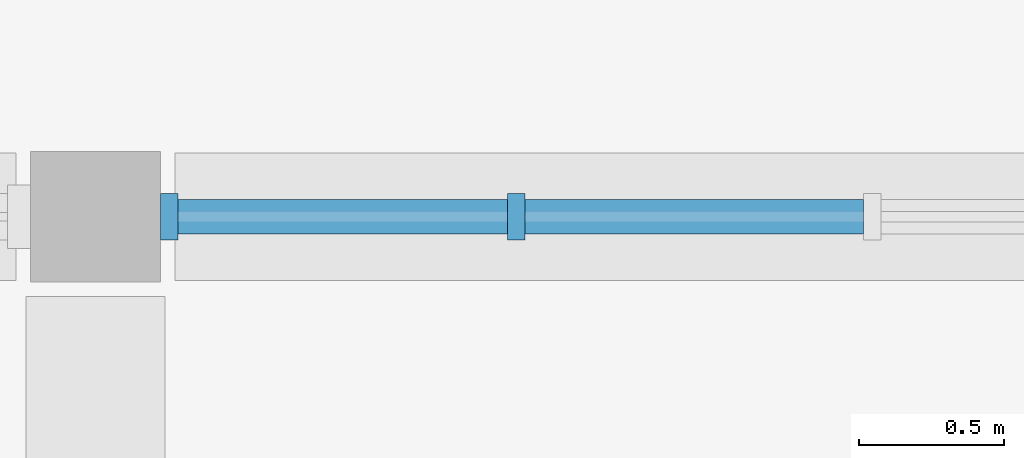
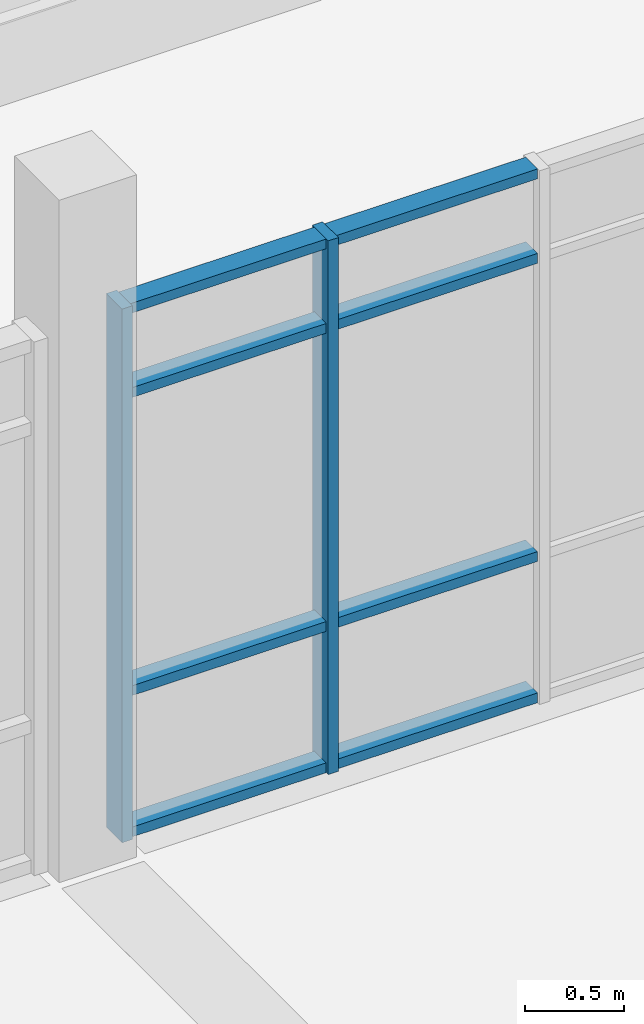
# One storey, part 16 of 92: 10 members, 1 element without a shape of its own.
"""IFC4 building model written with IfcOpenShell, lengths in metres."""

from ifc_helpers import new_model, si_unit, direction, frame, origin, origin_2d, place, context, subcontext, project, spatial, rectangle, extrude, material, material_profile, profile_set, type_object, element, aggregate, save


model = new_model("IFC4")

# Units and contexts
model_context = context("Model", 3, precision=1e-05, world=origin(), true_north=direction((0.0, 1.0)))
body_context = subcontext(model_context, "Body", "Model", "MODEL_VIEW")
ifc_project = project(units=[si_unit("LENGTHUNIT", "METRE"), si_unit("AREAUNIT", "SQUARE_METRE"), si_unit("VOLUMEUNIT", "CUBIC_METRE"), si_unit("PLANEANGLEUNIT", "RADIAN"), si_unit("MASSUNIT", "GRAM", prefix="KILO")], contexts=[model_context])

# Site, building, storey
site_placement = place(None, origin())
site = spatial("IfcSite", under=ifc_project, at=site_placement, CompositionType="ELEMENT")
building_placement = place(site_placement, origin())
building = spatial("IfcBuilding", under=site, at=building_placement, Name="Ciguamira Faculty of Natural Sciences", CompositionType="ELEMENT")
storey_placement = place(building_placement, frame((0.0, 0.0, 16.800048828125)))
storey = spatial("IfcBuildingStorey", under=building, at=storey_placement, Name="L04", CompositionType="ELEMENT", Elevation=16.800048828125)

# Curtain wall, members
ifc_material_1 = material(Name="Anodized aluminium curtain wall", Category="aluminium")
curtain_wall_type = type_object("IfcCurtainWallType", Name="CurtainWall_CW-10", PredefinedType="USERDEFINED", material=ifc_material_1)
curtain_wall_placement = place(storey_placement, origin())
curtain_wall = element("IfcCurtainWall", 1, at=curtain_wall_placement, inside=storey, type_object=curtain_wall_type, Name="L04 unitised curtain wall 0118", ObjectType="UNITISED CURTAIN WALL", PredefinedType="USERDEFINED")
ifc_material_2 = material(Name="Anodized aluminium mullion", Category="aluminium")
ifc_material_profile_1 = material_profile(ifc_material_2, rectangle(XDim=0.06005859375, YDim=0.159912109375, at=origin_2d()), Name="ALU-MUL-60X160")
ifc_profile_set_1 = profile_set([ifc_material_profile_1], Name="Anodized aluminium mullion")
member_type_1 = type_object("IfcMemberType", Name="CWMullion_CWM-01", PredefinedType="MULLION", material=ifc_profile_set_1)
member_1_placement = place(storey_placement, frame((90.554931640625, 38.0, 0.0), z_axis=(0.0, 0.0, 1.0), x_axis=(1.0, 0.0, 0.0)))
member_1 = element("IfcMember", 2, at=member_1_placement, type_object=member_type_1, Name="CW-10 mullion 1", PredefinedType="MULLION", context=body_context, shape_type="SweptSolid", body=[
    extrude(rectangle(XDim=0.06005859375, YDim=0.159912109375, at=origin_2d()), origin(), (0.0, 0.0, 1.0), 3.284912109375),
])
member_2_placement = place(storey_placement, frame((91.7548828125, 38.0, 0.0), z_axis=(0.0, 0.0, 1.0), x_axis=(1.0, 0.0, 0.0)))
member_2 = element("IfcMember", 3, at=member_2_placement, type_object=member_type_1, Name="CW-10 mullion 2", PredefinedType="MULLION", context=body_context, shape_type="SweptSolid", body=[
    extrude(rectangle(XDim=0.06005859375, YDim=0.159912109375, at=origin_2d()), origin(), (0.0, 0.0, 1.0), 3.284912109375),
])
ifc_material_3 = material(Name="Anodized aluminium transom", Category="aluminium")
ifc_material_profile_2 = material_profile(ifc_material_3, rectangle(XDim=0.06005859375, YDim=0.1201171875, at=origin_2d()), Name="ALU-TRN-60X120")
ifc_profile_set_2 = profile_set([ifc_material_profile_2], Name="Anodized aluminium transom")
member_type_2 = type_object("IfcMemberType", Name="CWTransom_CWT-01", PredefinedType="USERDEFINED", material=ifc_profile_set_2)
member_3_placement = place(storey_placement, frame((90.5849609375, 38.0, 0.030029296875), z_axis=(1.0, 0.0, 0.0), x_axis=(0.0, 0.0, 1.0)))
member_3 = element("IfcMember", 4, at=member_3_placement, type_object=member_type_2, Name="CW-10 transom 1.1", ObjectType="TRANSOM", PredefinedType="USERDEFINED", context=body_context, shape_type="SweptSolid", body=[
    extrude(rectangle(XDim=0.06005859375, YDim=0.1201171875, at=origin_2d()), origin(), (0.0, 0.0, 1.0), 1.14013671875),
])
member_4_placement = place(storey_placement, frame((90.5849609375, 38.0, 0.89990234375), z_axis=(1.0, 0.0, 0.0), x_axis=(0.0, 0.0, 1.0)))
member_4 = element("IfcMember", 5, at=member_4_placement, type_object=member_type_2, Name="CW-10 transom 1.2", ObjectType="TRANSOM", PredefinedType="USERDEFINED", context=body_context, shape_type="SweptSolid", body=[
    extrude(rectangle(XDim=0.06005859375, YDim=0.1201171875, at=origin_2d()), origin(), (0.0, 0.0, 1.0), 1.14013671875),
])
member_5_placement = place(storey_placement, frame((90.5849609375, 38.0, 2.73486328125), z_axis=(1.0, 0.0, 0.0), x_axis=(0.0, 0.0, 1.0)))
member_5 = element("IfcMember", 6, at=member_5_placement, type_object=member_type_2, Name="CW-10 transom 1.3", ObjectType="TRANSOM", PredefinedType="USERDEFINED", context=body_context, shape_type="SweptSolid", body=[
    extrude(rectangle(XDim=0.06005859375, YDim=0.1201171875, at=origin_2d()), origin(), (0.0, 0.0, 1.0), 1.14013671875),
])
member_6_placement = place(storey_placement, frame((90.5849609375, 38.0, 3.2548828125), z_axis=(1.0, 0.0, 0.0), x_axis=(0.0, 0.0, 1.0)))
member_6 = element("IfcMember", 7, at=member_6_placement, type_object=member_type_2, Name="CW-10 transom 1.4", ObjectType="TRANSOM", PredefinedType="USERDEFINED", context=body_context, shape_type="SweptSolid", body=[
    extrude(rectangle(XDim=0.06005859375, YDim=0.1201171875, at=origin_2d()), origin(), (0.0, 0.0, 1.0), 1.14013671875),
])
member_7_placement = place(storey_placement, frame((91.784912109375, 38.0, 0.030029296875), z_axis=(1.0, 0.0, 0.0), x_axis=(0.0, 0.0, 1.0)))
member_7 = element("IfcMember", 8, at=member_7_placement, type_object=member_type_2, Name="CW-10 transom 2.1", ObjectType="TRANSOM", PredefinedType="USERDEFINED", context=body_context, shape_type="SweptSolid", body=[
    extrude(rectangle(XDim=0.06005859375, YDim=0.1201171875, at=origin_2d()), origin(), (0.0, 0.0, 1.0), 1.170166015625),
])
member_8_placement = place(storey_placement, frame((91.784912109375, 38.0, 0.89990234375), z_axis=(1.0, 0.0, 0.0), x_axis=(0.0, 0.0, 1.0)))
member_8 = element("IfcMember", 9, at=member_8_placement, type_object=member_type_2, Name="CW-10 transom 2.2", ObjectType="TRANSOM", PredefinedType="USERDEFINED", context=body_context, shape_type="SweptSolid", body=[
    extrude(rectangle(XDim=0.06005859375, YDim=0.1201171875, at=origin_2d()), origin(), (0.0, 0.0, 1.0), 1.170166015625),
])
member_9_placement = place(storey_placement, frame((91.784912109375, 38.0, 2.73486328125), z_axis=(1.0, 0.0, 0.0), x_axis=(0.0, 0.0, 1.0)))
member_9 = element("IfcMember", 10, at=member_9_placement, type_object=member_type_2, Name="CW-10 transom 2.3", ObjectType="TRANSOM", PredefinedType="USERDEFINED", context=body_context, shape_type="SweptSolid", body=[
    extrude(rectangle(XDim=0.06005859375, YDim=0.1201171875, at=origin_2d()), origin(), (0.0, 0.0, 1.0), 1.170166015625),
])
member_10_placement = place(storey_placement, frame((91.784912109375, 38.0, 3.2548828125), z_axis=(1.0, 0.0, 0.0), x_axis=(0.0, 0.0, 1.0)))
member_10 = element("IfcMember", 11, at=member_10_placement, type_object=member_type_2, Name="CW-10 transom 2.4", ObjectType="TRANSOM", PredefinedType="USERDEFINED", context=body_context, shape_type="SweptSolid", body=[
    extrude(rectangle(XDim=0.06005859375, YDim=0.1201171875, at=origin_2d()), origin(), (0.0, 0.0, 1.0), 1.170166015625),
])
aggregate(curtain_wall, [member_1, member_2, member_3, member_4, member_5, member_6, member_7, member_8, member_9, member_10])

save(model, "model.ifc")
